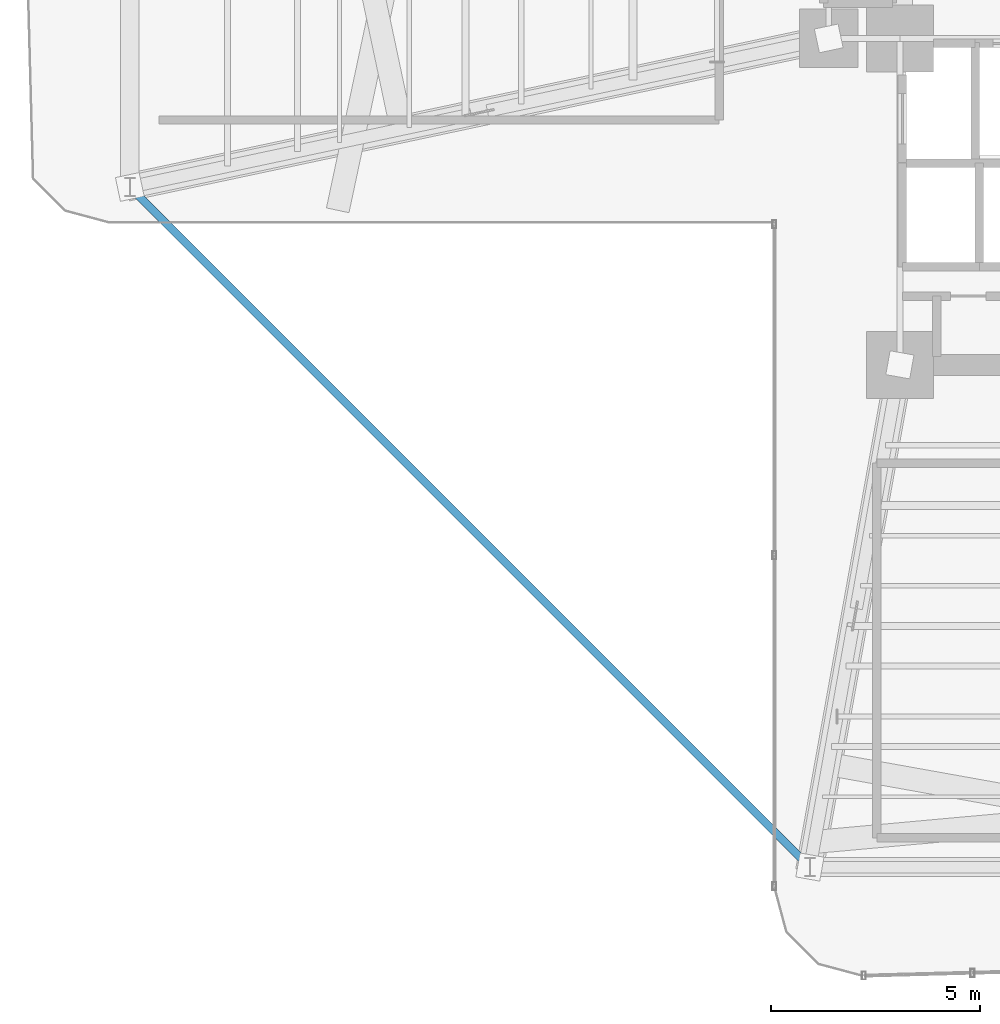
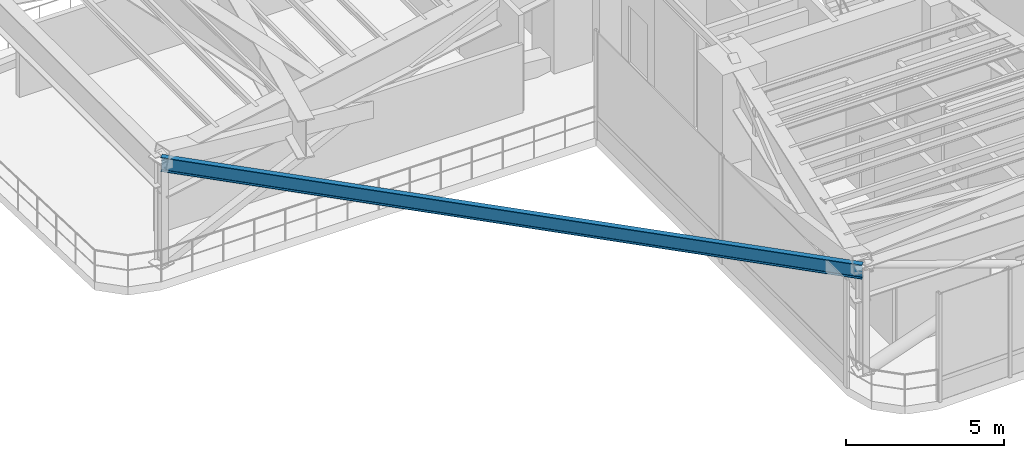
# One storey, part 3 of 18: 1 beam.
"""IFC4 building model written with IfcOpenShell, lengths in metres."""

from ifc_helpers import new_model, si_unit, direction, frame, origin, origin_2d, place, context, subcontext, project, spatial, i_section, extrude, source, transform, mapped, material, material_profile, profile_set, type_object, element, save


model = new_model("IFC4")

# Units and contexts
model_context = context("Model", 3, precision=1e-05, world=origin(), true_north=direction((0.0, 1.0)))
body_context = subcontext(model_context, "Body", "Model", "MODEL_VIEW")
ifc_project = project(units=[si_unit("LENGTHUNIT", "METRE"), si_unit("AREAUNIT", "SQUARE_METRE"), si_unit("VOLUMEUNIT", "CUBIC_METRE"), si_unit("PLANEANGLEUNIT", "RADIAN"), si_unit("MASSUNIT", "GRAM", prefix="KILO")], contexts=[model_context])

# Site, building, storey
site_placement = place(None, origin())
site = spatial("IfcSite", under=ifc_project, at=site_placement, CompositionType="ELEMENT")
building_placement = place(site_placement, origin())
building = spatial("IfcBuilding", under=site, at=building_placement, Name="Sahyath Konkavel Grand Hotel", CompositionType="ELEMENT")
storey_placement = place(building_placement, frame((0.0, 0.0, 74.5)))
storey = spatial("IfcBuildingStorey", under=building, at=storey_placement, Name="L20", CompositionType="ELEMENT", Elevation=74.5)

# Beam
ifc_material = material(Name="Steel E350", Category="steel")
ifc_material_profile = material_profile(ifc_material, i_section(OverallWidth=0.18994140625, OverallDepth=0.550048828125, WebThickness=0.01123046875, FlangeThickness=0.019287109375, FilletRadius=0.01806640625, at=origin_2d()), Name="ISMB 550")
ifc_profile_set = profile_set([ifc_material_profile], Name="Steel E350")
beam_type = type_object("IfcBeamType", Name="BM-ISMB550", PredefinedType="BEAM", material=ifc_profile_set)
shared_shape = source(origin(), body_context, "Body", "SweptSolid", [
    extrude(i_section(OverallWidth=0.18994140625, OverallDepth=0.550048828125, WebThickness=0.01123046875, FlangeThickness=0.019287109375, FilletRadius=0.01806640625, at=origin_2d()), origin(), (0.0, 0.0, 1.0), 22.98095703125),
])
beam_placement = place(storey_placement, frame((-22.199951171875, -5.949951171875, 3.905029296875), z_axis=(0.707106781187, -0.707106781187, 0.0), x_axis=(0.707106781187, 0.707106781187, 0.0)))
element("IfcBeam", 1, at=beam_placement, inside=storey, type_object=beam_type, Name="L20 Re-Entrant Tie Beam SW", PredefinedType="BEAM", context=body_context, shape_type="MappedRepresentation", body=[
    mapped(shared_shape, transform((0.0, 0.0, 0.0), scale=1.0)),
])

save(model, "model.ifc")
